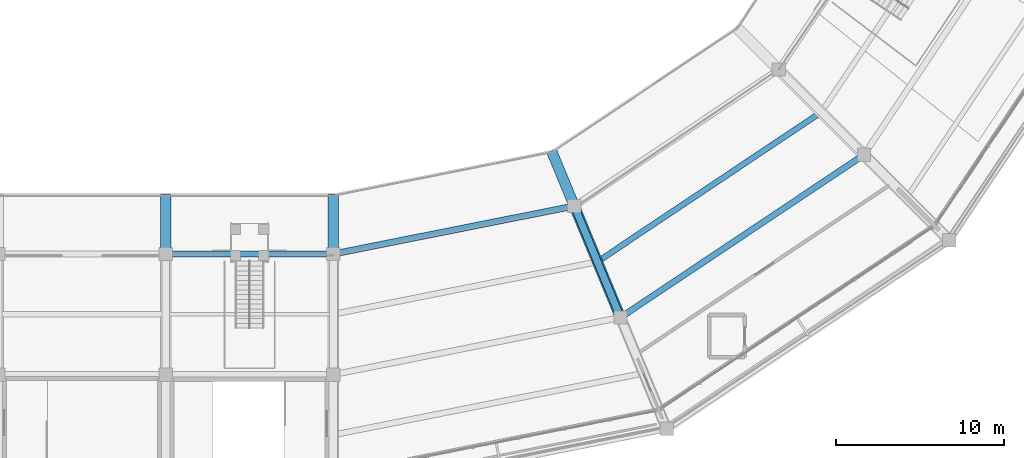
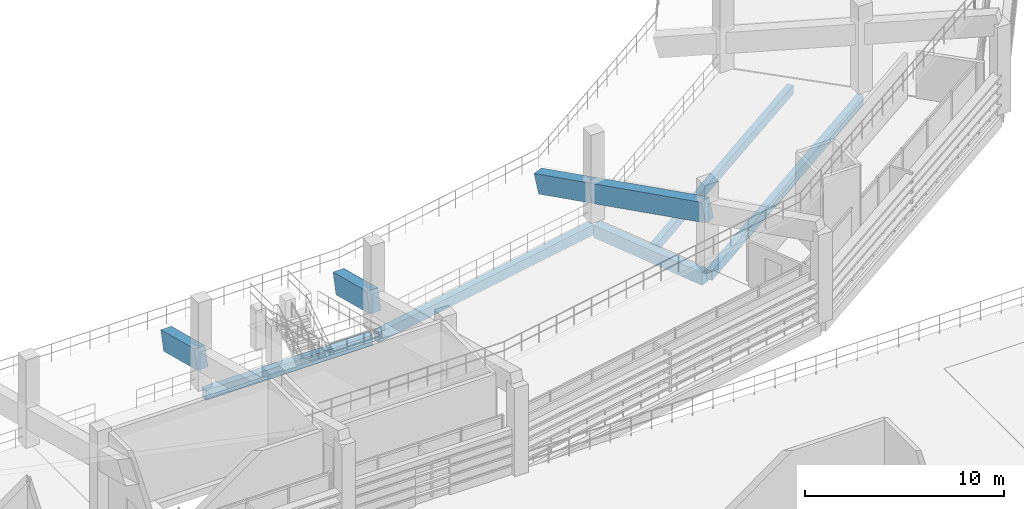
# One storey, part 30 of 96: 9 beams.
"""IFC4 building model written with IfcOpenShell, lengths in metres."""

from ifc_helpers import new_model, si_unit, direction, frame, origin, origin_2d, place, context, subcontext, project, spatial, rectangle, extrude, material, material_profile, profile_set, type_object, element, save


model = new_model("IFC4")

# Units and contexts
model_context = context("Model", 3, precision=1e-05, world=origin(), true_north=direction((0.0, 1.0)))
body_context = subcontext(model_context, "Body", "Model", "MODEL_VIEW")
ifc_project = project(units=[si_unit("LENGTHUNIT", "METRE"), si_unit("AREAUNIT", "SQUARE_METRE"), si_unit("VOLUMEUNIT", "CUBIC_METRE"), si_unit("PLANEANGLEUNIT", "RADIAN"), si_unit("MASSUNIT", "GRAM", prefix="KILO")], contexts=[model_context])

# Site, building, storey
site_placement = place(None, origin())
site = spatial("IfcSite", under=ifc_project, at=site_placement, CompositionType="ELEMENT")
building_placement = place(site_placement, origin())
building = spatial("IfcBuilding", under=site, at=building_placement, Name="Candeia Ridge Stadium", CompositionType="ELEMENT")
storey_placement = place(building_placement, frame((0.0, 0.0, 21.60009765625)))
storey = spatial("IfcBuildingStorey", under=building, at=storey_placement, Name="L04", CompositionType="ELEMENT", Elevation=21.60009765625)

# Beams
ifc_material_1 = material(Name="Concrete C40/50", Category="concrete")
ifc_material_profile_1 = material_profile(ifc_material_1, rectangle(XDim=0.340087890625, YDim=0.5400390625, at=origin_2d()), Name="RC340x540", Category="concrete")
ifc_profile_set_1 = profile_set([ifc_material_profile_1], Name="Concrete C40/50")
beam_type_1 = type_object("IfcBeamType", Name="Floor Joist RC340x540", PredefinedType="JOIST", material=ifc_profile_set_1)
beam_1_placement = place(storey_placement, frame((156.951171875, 33.0595703125, -0.530029296875), z_axis=(0.831470752017, 0.555568527312, 0.0), x_axis=(-0.555568527312, 0.831470752017, 0.0)))
element("IfcBeam", 1, at=beam_1_placement, inside=storey, type_object=beam_type_1, Name="Concourse secondary joist BM-L04-0916", PredefinedType="JOIST", context=body_context, shape_type="SweptSolid", body=[
    extrude(rectangle(XDim=0.340087890625, YDim=0.5400390625, at=origin_2d()), origin(), (0.0, 0.0, 1.0), 15.63134765625),
])
ifc_material_profile_2 = material_profile(ifc_material_1, rectangle(XDim=0.360107421875, YDim=0.580078125, at=origin_2d()), Name="RC360x580", Category="concrete")
ifc_profile_set_2 = profile_set([ifc_material_profile_2], Name="Concrete C40/50")
beam_type_2 = type_object("IfcBeamType", Name="Frame Girder RC360x580", PredefinedType="BEAM", material=ifc_profile_set_2)
beam_2_placement = place(storey_placement, frame((158.27734375, 29.698974609375, -0.550048828125), z_axis=(0.831467614091, 0.555573223542, 0.0), x_axis=(-0.555573223542, 0.831467614091, 0.0)))
element("IfcBeam", 2, at=beam_2_placement, inside=storey, type_object=beam_type_2, Name="Concourse spine girder BM-L04-0914", PredefinedType="BEAM", context=body_context, shape_type="SweptSolid", body=[
    extrude(rectangle(XDim=0.360107421875, YDim=0.580078125, at=origin_2d()), origin(), (0.0, 0.0, 1.0), 17.16015625),
])
ifc_material_profile_3 = material_profile(ifc_material_1, rectangle(XDim=0.3798828125, YDim=0.6201171875, at=origin_2d()), Name="RC380x620", Category="concrete")
ifc_profile_set_3 = profile_set([ifc_material_profile_3], Name="Concrete C40/50")
beam_type_3 = type_object("IfcBeamType", Name="Frame Girder RC380x620", PredefinedType="BEAM", material=ifc_profile_set_3)
beam_3_placement = place(storey_placement, frame((131.159912109375, 33.39990234375, -0.570068359375), z_axis=(1.0, 0.0, 0.0), x_axis=(0.0, 1.0, 0.0)))
element("IfcBeam", 3, at=beam_3_placement, inside=storey, type_object=beam_type_3, Name="Bowl inner ring girder BM-L04-0904", PredefinedType="BEAM", context=body_context, shape_type="SweptSolid", body=[
    extrude(rectangle(XDim=0.3798828125, YDim=0.6201171875, at=origin_2d()), origin(), (0.0, 0.0, 1.0), 9.68017578125),
])
beam_4_placement = place(storey_placement, frame((141.156982421875, 33.43115234375, -0.570068359375), z_axis=(0.980783642657, 0.195098555341, 0.0), x_axis=(-0.195098555341, 0.980783642657, 0.0)))
element("IfcBeam", 4, at=beam_4_placement, inside=storey, type_object=beam_type_3, Name="Bowl inner ring girder BM-L04-0908", PredefinedType="BEAM", context=body_context, shape_type="SweptSolid", body=[
    extrude(rectangle(XDim=0.3798828125, YDim=0.6201171875, at=origin_2d()), origin(), (0.0, 0.0, 1.0), 14.350830078125),
])
ifc_material_profile_4 = material_profile(ifc_material_1, rectangle(XDim=0.4599609375, YDim=0.780029296875, at=origin_2d()), Name="RC460x780", Category="concrete")
ifc_profile_set_4 = profile_set([ifc_material_profile_4], Name="Concrete C40/50")
beam_type_4 = type_object("IfcBeamType", Name="Frame Girder RC460x780", PredefinedType="BEAM", material=ifc_profile_set_4)
beam_5_placement = place(storey_placement, frame((155.4501953125, 36.1142578125, -0.650146484375), z_axis=(0.382681914982, -0.923880161031, 0.0), x_axis=(0.923880161031, 0.382681914982, 0.0)))
element("IfcBeam", 5, at=beam_5_placement, inside=storey, type_object=beam_type_4, Name="Bowl radial girder BM-L04-0773", PredefinedType="BEAM", context=body_context, shape_type="SweptSolid", body=[
    extrude(rectangle(XDim=0.4599609375, YDim=0.780029296875, at=origin_2d()), origin(), (0.0, 0.0, 1.0), 6.8798828125),
])
ifc_material_2 = material(Name="Concrete C45/55", Category="concrete")
ifc_material_profile_5 = material_profile(ifc_material_2, rectangle(XDim=0.6201171875, YDim=1.179931640625, at=origin_2d()), Name="RC620x1180", Category="concrete")
ifc_profile_set_5 = profile_set([ifc_material_profile_5], Name="Concrete C45/55")
beam_type_5 = type_object("IfcBeamType", Name="Stand Raker Beam RC620x1180", PredefinedType="USERDEFINED", material=ifc_profile_set_5)
beam_6_placement = place(storey_placement, frame((131.0, 36.800048828125, 0.78759765625), z_axis=(0.0, -0.968076277783, 0.250655780691), x_axis=(1.0, 0.0, 0.0)))
element("IfcBeam", 6, at=beam_6_placement, inside=storey, type_object=beam_type_5, Name="Stand T3 cantilever raker beam 25", ObjectType="RAKER", PredefinedType="USERDEFINED", context=body_context, shape_type="SweptSolid", body=[
    extrude(rectangle(XDim=0.6201171875, YDim=1.179931640625, at=origin_2d()), origin(), (0.0, 0.0, 1.0), 3.51220703125),
])
beam_7_placement = place(storey_placement, frame((155.388916015625, 36.26220703125, 1.66796875), z_axis=(0.370467920593, -0.894394775155, 0.250622237615), x_axis=(0.923880454805, 0.382681205745, 0.0)))
element("IfcBeam", 7, at=beam_7_placement, inside=storey, type_object=beam_type_5, Name="Stand T3 inner raker beam 27", ObjectType="RAKER", PredefinedType="USERDEFINED", context=body_context, shape_type="SweptSolid", body=[
    extrude(rectangle(XDim=0.6201171875, YDim=1.179931640625, at=origin_2d()), origin(), (0.0, 0.0, 1.0), 7.4375),
])
beam_8_placement = place(storey_placement, frame((154.087890625, 39.4033203125, 0.78759765625), z_axis=(0.37044888349, -0.894388315816, 0.250673423506), x_axis=(0.92388643014, 0.382666779591, 0.0)))
element("IfcBeam", 8, at=beam_8_placement, inside=storey, type_object=beam_type_5, Name="Stand T3 cantilever raker beam 27", ObjectType="RAKER", PredefinedType="USERDEFINED", context=body_context, shape_type="SweptSolid", body=[
    extrude(rectangle(XDim=0.6201171875, YDim=1.179931640625, at=origin_2d()), origin(), (0.0, 0.0, 1.0), 3.511962890625),
])
ifc_material_profile_6 = material_profile(ifc_material_2, rectangle(XDim=0.64990234375, YDim=1.25, at=origin_2d()), Name="RC650x1250", Category="concrete")
ifc_profile_set_6 = profile_set([ifc_material_profile_6], Name="Concrete C45/55")
beam_type_6 = type_object("IfcBeamType", Name="Stand Raker Beam RC650x1250", PredefinedType="USERDEFINED", material=ifc_profile_set_6)
beam_9_placement = place(storey_placement, frame((141.0, 36.800048828125, 0.78759765625), z_axis=(0.0, -0.968076277783, 0.250655780691), x_axis=(1.0, 0.0, 0.0)))
element("IfcBeam", 9, at=beam_9_placement, inside=storey, type_object=beam_type_6, Name="Stand T3 cantilever raker beam 26", ObjectType="RAKER", PredefinedType="USERDEFINED", context=body_context, shape_type="SweptSolid", body=[
    extrude(rectangle(XDim=0.64990234375, YDim=1.25, at=origin_2d()), origin(), (0.0, 0.0, 1.0), 3.51220703125),
])

save(model, "model.ifc")
